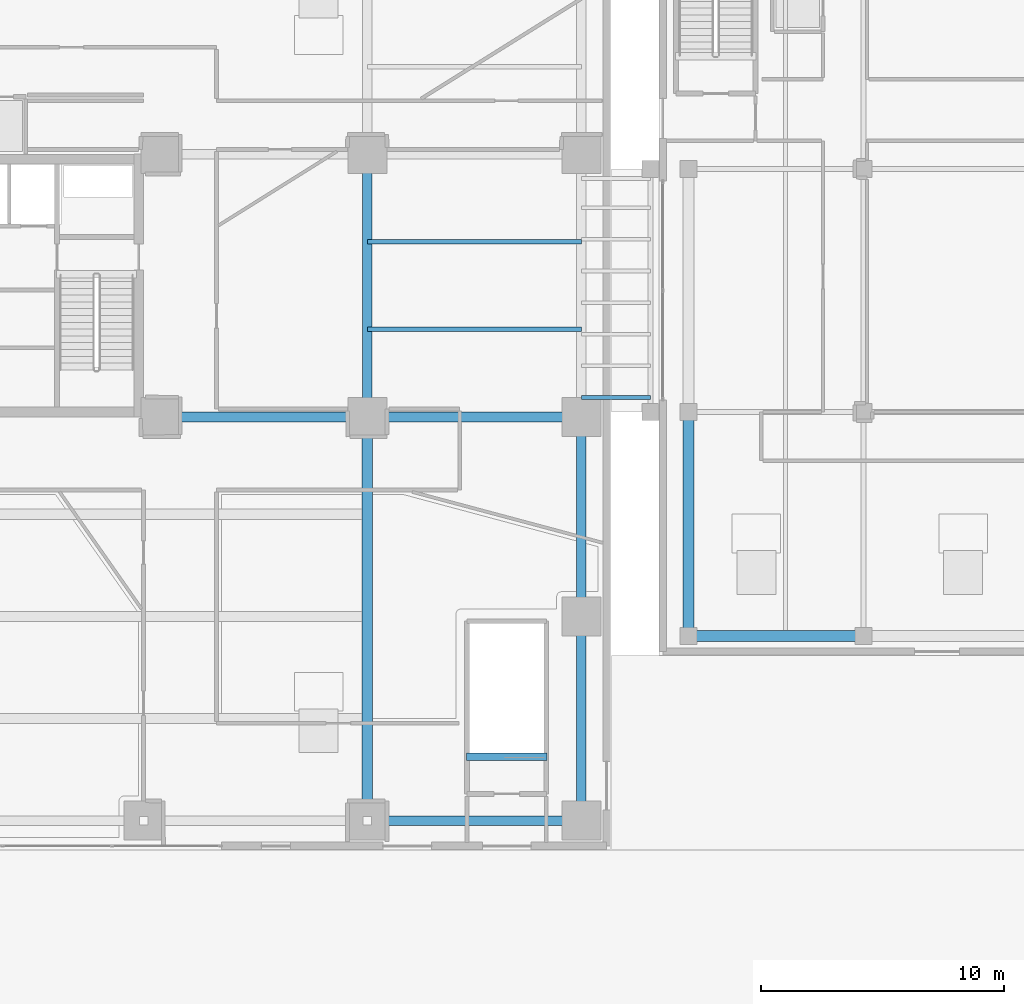
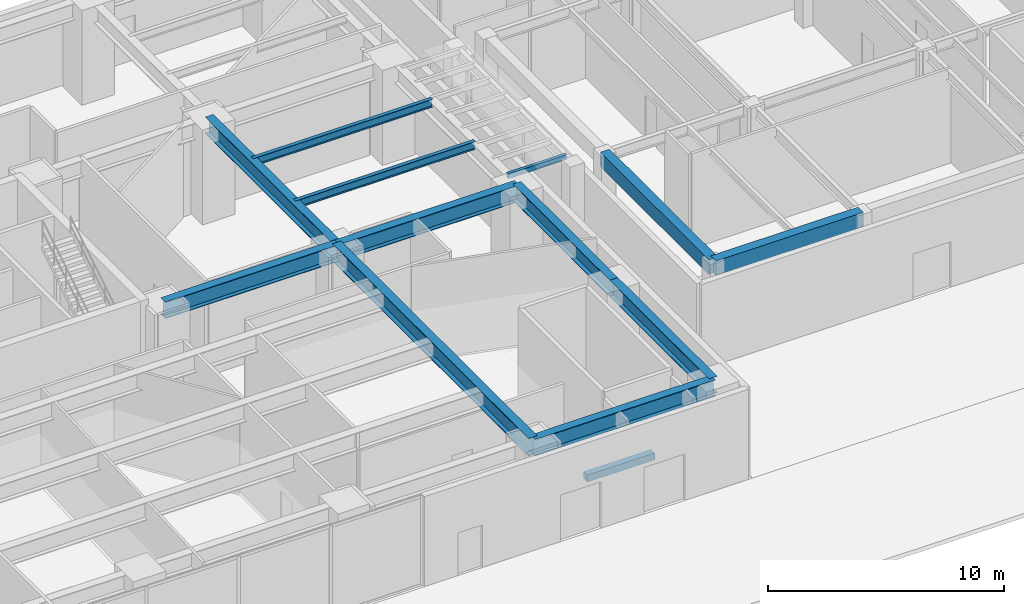
# One storey, part 6 of 28: 12 beams, 1 member.
"""IFC4 building model written with IfcOpenShell, lengths in metres."""

from ifc_helpers import new_model, si_unit, direction, frame, origin, origin_2d, place, context, subcontext, project, spatial, rectangle, hollow_rectangle, i_section, extrude, source, transform, mapped, material, material_profile, profile_set, type_object, type_shapes, element, save


model = new_model("IFC4")

# Units and contexts
model_context = context("Model", 3, precision=1e-05, world=origin(), true_north=direction((0.0, 1.0)))
body_context = subcontext(model_context, "Body", "Model", "MODEL_VIEW")
ifc_project = project(units=[si_unit("LENGTHUNIT", "METRE"), si_unit("AREAUNIT", "SQUARE_METRE"), si_unit("VOLUMEUNIT", "CUBIC_METRE"), si_unit("PLANEANGLEUNIT", "RADIAN"), si_unit("MASSUNIT", "GRAM", prefix="KILO")], contexts=[model_context])

# Site, building, storey
site_placement = place(None, origin())
site = spatial("IfcSite", under=ifc_project, at=site_placement, CompositionType="ELEMENT")
building_placement = place(site_placement, origin())
building = spatial("IfcBuilding", under=site, at=building_placement, Name="Talar Marvaseh", CompositionType="ELEMENT")
storey_placement = place(building_placement, origin())
storey = spatial("IfcBuildingStorey", under=building, at=storey_placement, Name="L00", CompositionType="ELEMENT", Elevation=0.0)

# Beams
ifc_material_1 = material(Name="Steel S460", Category="steel")
ifc_material_profile_1 = material_profile(ifc_material_1, i_section(OverallWidth=0.41796875, OverallDepth=0.912109375, WebThickness=0.019287109375, FlangeThickness=0.031982421875, at=origin_2d()), Name="W920x342")
ifc_profile_set_1 = profile_set([ifc_material_profile_1], Name="Steel S460")
beam_type_1 = type_object("IfcBeamType", Name="Auditorium Long-Span Girder W920x342", PredefinedType="BEAM", material=ifc_profile_set_1)
beam_1_placement = place(storey_placement, frame((42.0, 9.199951171875, 4.444091796875), z_axis=(0.0, 1.0, 0.0), x_axis=(-1.0, 0.0, 0.0)))
element("IfcBeam", 1, at=beam_1_placement, inside=storey, type_object=beam_type_1, Name="L00 Auditorium Long-Span Girder W920x342", PredefinedType="BEAM", context=body_context, shape_type="SweptSolid", body=[
    extrude(i_section(OverallWidth=0.41796875, OverallDepth=0.912109375, WebThickness=0.019287109375, FlangeThickness=0.031982421875, at=origin_2d()), origin(), (0.0, 0.0, 1.0), 16.60009765625),
])
ifc_material_2 = material(Name="Steel S355", Category="steel")
ifc_material_profile_2 = material_profile(ifc_material_2, i_section(OverallWidth=0.39990234375, OverallDepth=0.85498046875, WebThickness=0.018310546875, FlangeThickness=0.029296875, at=origin_2d()), Name="W840x299")
ifc_profile_set_2 = profile_set([ifc_material_profile_2], Name="Steel S355")
beam_type_2 = type_object("IfcBeamType", Name="Concourse Primary Girder W840x299", PredefinedType="BEAM", material=ifc_profile_set_2)
beam_2_placement = place(storey_placement, frame((42.0, 9.199951171875, 4.472412109375), z_axis=(1.0, 0.0, 0.0), x_axis=(0.0, 1.0, 0.0)))
element("IfcBeam", 2, at=beam_2_placement, inside=storey, type_object=beam_type_2, Name="L00 Concourse Primary Girder W840x299", PredefinedType="BEAM", context=body_context, shape_type="SweptSolid", body=[
    extrude(i_section(OverallWidth=0.39990234375, OverallDepth=0.85498046875, WebThickness=0.018310546875, FlangeThickness=0.029296875, at=origin_2d()), origin(), (0.0, 0.0, 1.0), 8.800048828125),
])
beam_3_placement = place(storey_placement, frame((33.5, 25.800048828125, 4.472412109375), z_axis=(1.0, 0.0, 0.0), x_axis=(0.0, 1.0, 0.0)))
element("IfcBeam", 3, at=beam_3_placement, inside=storey, type_object=beam_type_2, Name="L00 Concourse Primary Girder W840x299", PredefinedType="BEAM", context=body_context, shape_type="SweptSolid", body=[
    extrude(i_section(OverallWidth=0.39990234375, OverallDepth=0.85498046875, WebThickness=0.018310546875, FlangeThickness=0.029296875, at=origin_2d()), origin(), (0.0, 0.0, 1.0), 8.5),
])
beam_4_placement = place(storey_placement, frame((42.0, 25.800048828125, 4.472412109375), z_axis=(1.0, 0.0, 0.0), x_axis=(0.0, 1.0, 0.0)))
element("IfcBeam", 4, at=beam_4_placement, inside=storey, type_object=beam_type_2, Name="L00 Concourse Primary Girder W840x299", PredefinedType="BEAM", context=body_context, shape_type="SweptSolid", body=[
    extrude(i_section(OverallWidth=0.39990234375, OverallDepth=0.85498046875, WebThickness=0.018310546875, FlangeThickness=0.029296875, at=origin_2d()), origin(), (0.0, 0.0, 1.0), 8.800048828125),
])
beam_5_placement = place(storey_placement, frame((42.0, 25.800048828125, 4.472412109375), z_axis=(0.0, 1.0, 0.0), x_axis=(-1.0, 0.0, 0.0)))
element("IfcBeam", 5, at=beam_5_placement, inside=storey, type_object=beam_type_2, Name="L00 Concourse Primary Girder W840x299", PredefinedType="BEAM", context=body_context, shape_type="SweptSolid", body=[
    extrude(i_section(OverallWidth=0.39990234375, OverallDepth=0.85498046875, WebThickness=0.018310546875, FlangeThickness=0.029296875, at=origin_2d()), origin(), (0.0, 0.0, 1.0), 10.800048828125),
])
beam_6_placement = place(storey_placement, frame((50.800048828125, 9.199951171875, 4.472412109375), z_axis=(0.0, 1.0, 0.0), x_axis=(-1.0, 0.0, 0.0)))
element("IfcBeam", 6, at=beam_6_placement, inside=storey, type_object=beam_type_2, Name="L00 Concourse Primary Girder W840x299", PredefinedType="BEAM", context=body_context, shape_type="SweptSolid", body=[
    extrude(i_section(OverallWidth=0.39990234375, OverallDepth=0.85498046875, WebThickness=0.018310546875, FlangeThickness=0.029296875, at=origin_2d()), origin(), (0.0, 0.0, 1.0), 8.400146484375),
])
beam_7_placement = place(storey_placement, frame((50.800048828125, 17.60009765625, 4.472412109375), z_axis=(0.0, 1.0, 0.0), x_axis=(-1.0, 0.0, 0.0)))
element("IfcBeam", 7, at=beam_7_placement, inside=storey, type_object=beam_type_2, Name="L00 Concourse Primary Girder W840x299", PredefinedType="BEAM", context=body_context, shape_type="SweptSolid", body=[
    extrude(i_section(OverallWidth=0.39990234375, OverallDepth=0.85498046875, WebThickness=0.018310546875, FlangeThickness=0.029296875, at=origin_2d()), origin(), (0.0, 0.0, 1.0), 8.199951171875),
])
ifc_material_3 = material(Name="Concrete C40/50", Category="concrete")
ifc_material_profile_3 = material_profile(ifc_material_3, rectangle(XDim=0.300048828125, YDim=0.360107421875, at=origin_2d()), Name="RC300x360")
ifc_profile_set_3 = profile_set([ifc_material_profile_3], Name="Concrete C40/50")
beam_type_3 = type_object("IfcBeamType", Name="Concrete Stair Landing Trimmer Beam RC300x360", PredefinedType="SPANDREL", material=ifc_profile_set_3)
beam_8_placement = place(storey_placement, frame((49.3798828125, 11.830078125, -0.179931640625), z_axis=(-1.0, 0.0, 0.0), x_axis=(0.0, -1.0, 0.0)))
element("IfcBeam", 8, at=beam_8_placement, inside=storey, type_object=beam_type_3, Name="L00 STN-ST2 Stair Nosing Trimmer Beam", PredefinedType="SPANDREL", context=body_context, shape_type="SweptSolid", body=[
    extrude(rectangle(XDim=0.300048828125, YDim=0.360107421875, at=origin_2d()), origin(), (0.0, 0.0, 1.0), 3.2998046875),
])
ifc_material_profile_4 = material_profile(ifc_material_3, rectangle(XDim=0.449951171875, YDim=0.75, at=origin_2d()), Name="RC450x750")
ifc_profile_set_4 = profile_set([ifc_material_profile_4], Name="Concrete C40/50")
beam_type_4 = type_object("IfcBeamType", Name="Market Concrete Edge Beam RC450x750", PredefinedType="SPANDREL", material=ifc_profile_set_4)
beam_9_placement = place(storey_placement, frame((55.199951171875, 16.800048828125, 4.52490234375), z_axis=(1.0, 0.0, 0.0), x_axis=(0.0, 1.0, 0.0)))
element("IfcBeam", 9, at=beam_9_placement, inside=storey, type_object=beam_type_4, Name="L00 Market Concrete Edge Beam RC450x750", PredefinedType="SPANDREL", context=body_context, shape_type="SweptSolid", body=[
    extrude(rectangle(XDim=0.449951171875, YDim=0.75, at=origin_2d()), origin(), (0.0, 0.0, 1.0), 7.199951171875),
])
beam_10_placement = place(storey_placement, frame((55.199951171875, 16.800048828125, 4.52490234375), z_axis=(0.0, 1.0, 0.0), x_axis=(-1.0, 0.0, 0.0)))
element("IfcBeam", 10, at=beam_10_placement, inside=storey, type_object=beam_type_4, Name="L00 Market Concrete Edge Beam RC450x750", PredefinedType="SPANDREL", context=body_context, shape_type="SweptSolid", body=[
    extrude(rectangle(XDim=0.449951171875, YDim=0.75, at=origin_2d()), origin(), (0.0, 0.0, 1.0), 9.199951171875),
])
ifc_material_profile_5 = material_profile(ifc_material_2, i_section(OverallWidth=0.179931640625, OverallDepth=0.4130859375, WebThickness=0.009765625, FlangeThickness=0.01611328125, at=origin_2d()), Name="W410x75")
ifc_profile_set_5 = profile_set([ifc_material_profile_5], Name="Steel S355")
beam_type_5 = type_object("IfcBeamType", Name="Zone 1 Secondary Floor Joist W410x75", PredefinedType="JOIST", material=ifc_profile_set_5)
for number, where, z_axis, x_axis, name in (
    (11, (42.0, 29.39990234375, 4.693603515625), (1.0, 0.0, 0.0), (0.0, 1.0, 0.0), "L00 Zone 1 Secondary Floor Joist W410x75"),
    (12, (42.0, 33.0, 4.693603515625), (1.0, 0.0, 0.0), (0.0, 1.0, 0.0), "L00 Zone 1 Secondary Floor Joist W410x75"),
):
    element("IfcBeam", number, at=place(storey_placement, frame(where, z_axis=z_axis, x_axis=x_axis)), inside=storey, type_object=beam_type_5, Name=name, PredefinedType="JOIST", context=body_context, shape_type="SweptSolid", body=[
        extrude(i_section(OverallWidth=0.179931640625, OverallDepth=0.4130859375, WebThickness=0.009765625, FlangeThickness=0.01611328125, at=origin_2d()), origin(), (0.0, 0.0, 1.0), 8.800048828125),
    ])

# Member
ifc_material_profile_6 = material_profile(ifc_material_2, hollow_rectangle(XDim=0.14990234375, YDim=0.25, WallThickness=0.010009765625, at=origin_2d()), Name="RHS250x150x10")
ifc_profile_set_6 = profile_set([ifc_material_profile_6], Name="Steel S355")
member_type = type_object("IfcMemberType", Name="Movement Joint PTFE Elastomeric Sliding Bearing", PredefinedType="USERDEFINED", material=ifc_profile_set_6)
shared_shape = source(origin(), body_context, "Body", "SweptSolid", [
    extrude(hollow_rectangle(XDim=0.14990234375, YDim=0.25, WallThickness=0.010009765625, at=origin_2d()), origin(), (0.0, 0.0, 1.0), 2.849853515625),
])
type_shapes(member_type, [shared_shape])
member_placement = place(storey_placement, frame((50.800048828125, 26.60009765625, 4.780029296875), z_axis=(1.0, 0.0, 0.0), x_axis=(0.0, 1.0, 0.0)))
element("IfcMember", 13, at=member_placement, inside=storey, type_object=member_type, Name="L00 Movement Joint PTFE Sliding Bearing 1", ObjectType="BEARING", PredefinedType="USERDEFINED", context=body_context, shape_type="MappedRepresentation", body=[
    mapped(shared_shape, transform((0.0, 0.0, 0.0), x_axis=(1.0, 0.0, 0.0), y_axis=(0.0, 1.0, 0.0), z_axis=(0.0, 0.0, 1.0), scale=1.0)),
])

save(model, "model.ifc")
